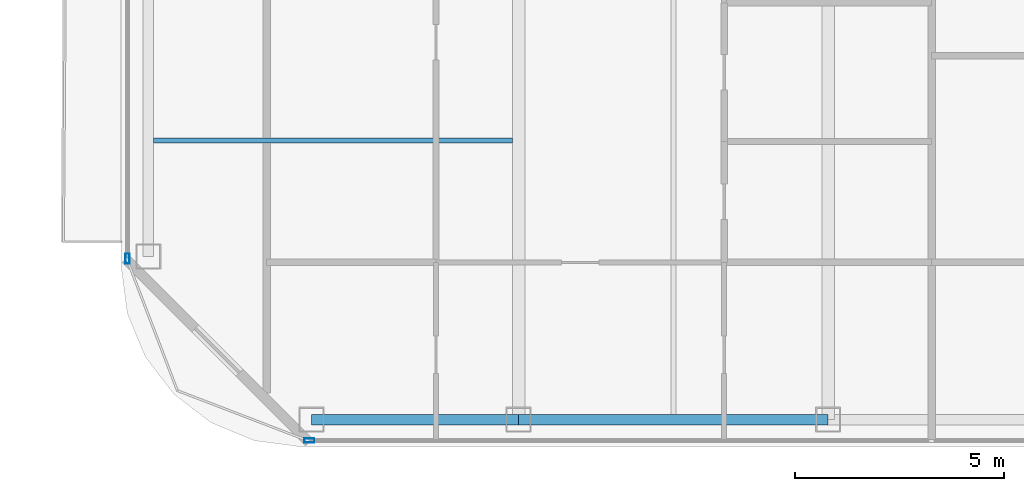
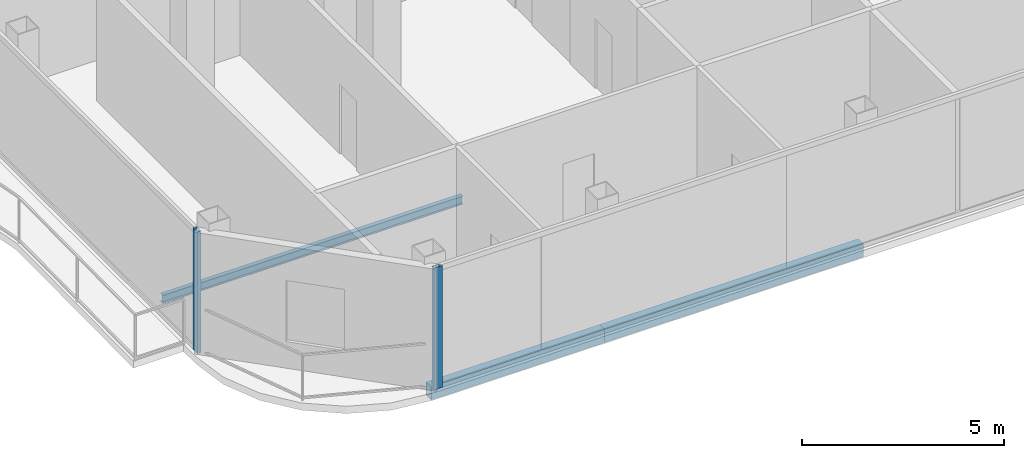
# One storey, part 2 of 23: 3 beams, 2 members, 2 elements without a shape of their own.
"""IFC4 building model written with IfcOpenShell, lengths in metres."""

from ifc_helpers import new_model, si_unit, direction, frame, origin, origin_2d, place, context, subcontext, project, spatial, hollow_rectangle, i_section, extrude, material, layer, layer_set, material_profile, profile_set, type_object, element, aggregate, save


model = new_model("IFC4")

# Units and contexts
model_context = context("Model", 3, precision=1e-05, world=origin(), true_north=direction((0.0, 1.0)))
body_context = subcontext(model_context, "Body", "Model", "MODEL_VIEW")
ifc_project = project(units=[si_unit("LENGTHUNIT", "METRE"), si_unit("AREAUNIT", "SQUARE_METRE"), si_unit("VOLUMEUNIT", "CUBIC_METRE"), si_unit("PLANEANGLEUNIT", "RADIAN"), si_unit("MASSUNIT", "GRAM", prefix="KILO")], contexts=[model_context])

# Site, building, storey
site_placement = place(None, origin())
site = spatial("IfcSite", under=ifc_project, at=site_placement, CompositionType="ELEMENT")
building_placement = place(site_placement, origin())
building = spatial("IfcBuilding", under=site, at=building_placement, Name="Khorvyn Point Tower", CompositionType="ELEMENT")
storey_placement = place(building_placement, frame((0.0, 0.0, 199.199951171875)))
storey = spatial("IfcBuildingStorey", under=building, at=storey_placement, Name="L49", CompositionType="ELEMENT", Elevation=199.199951171875)

# Curtain wall, member
ifc_material_1 = material(Name="Anodised aluminium 6063-T6 and laminated Low-E glass", Category="aluminium")
ifc_layer = layer(ifc_material_1, 0.18994140625)
ifc_layer_set = layer_set([ifc_layer], Name="Stick-Built Acoustic Curtain Wall CW-SYS-03")
curtain_wall_type = type_object("IfcCurtainWallType", Name="Stick-Built Acoustic Curtain Wall CW-SYS-03", PredefinedType="NOTDEFINED", material=ifc_layer_set)
curtain_wall_1_placement = place(storey_placement, origin())
curtain_wall_1 = element("IfcCurtainWall", 1, at=curtain_wall_1_placement, inside=storey, type_object=curtain_wall_type, Name="Curtain Wall", PredefinedType="NOTDEFINED")
ifc_material_2 = material(Name="Anodised aluminium 6063-T6", Category="aluminium")
ifc_material_profile_1 = material_profile(ifc_material_2, hollow_rectangle(XDim=0.10009765625, YDim=0.239990234375, WallThickness=0.0048828125, at=origin_2d()))
ifc_profile_set_1 = profile_set([ifc_material_profile_1], Name="Anodised aluminium 6063-T6 ALU-MUL-100x240")
member_type = type_object("IfcMemberType", Name="Anodised Aluminium 6063-T6 Mullion ALU-MUL-100x240", PredefinedType="MULLION", material=ifc_profile_set_1)
member_1_placement = place(storey_placement, frame((-19.800048828125, -28.64990234375, 0.0), z_axis=(0.0, 0.0, 1.0), x_axis=(0.0, -1.0, 0.0)))
member_1 = element("IfcMember", 2, at=member_1_placement, type_object=member_type, Name="Transom", PredefinedType="MULLION", context=body_context, shape_type="SweptSolid", body=[
    extrude(hollow_rectangle(XDim=0.10009765625, YDim=0.239990234375, WallThickness=0.0048828125, at=origin_2d()), origin(), (0.0, 0.0, 1.0), 3.679931640625),
])
aggregate(curtain_wall_1, [member_1])

curtain_wall_2_placement = place(storey_placement, origin())
curtain_wall_2 = element("IfcCurtainWall", 3, at=curtain_wall_2_placement, inside=storey, type_object=curtain_wall_type, Name="Curtain Wall", PredefinedType="NOTDEFINED")
member_2_placement = place(storey_placement, frame((-24.14990234375, -24.300048828125, 0.0), z_axis=(0.0, 0.0, 1.0), x_axis=(-1.0, 0.0, 0.0)))
member_2 = element("IfcMember", 4, at=member_2_placement, type_object=member_type, Name="Transom", PredefinedType="MULLION", context=body_context, shape_type="SweptSolid", body=[
    extrude(hollow_rectangle(XDim=0.10009765625, YDim=0.239990234375, WallThickness=0.0048828125, at=origin_2d()), origin(), (0.0, 0.0, 1.0), 3.679931640625),
])
aggregate(curtain_wall_2, [member_2])

# Beams
ifc_material_3 = material(Name="Steel S355", Category="steel")
ifc_material_profile_2 = material_profile(ifc_material_3, i_section(OverallWidth=0.125, OverallDepth=0.25, WebThickness=0.006103515625, FlangeThickness=0.009033203125, at=origin_2d()))
ifc_profile_set_2 = profile_set([ifc_material_profile_2], Name="Steel S355 H250x125x6x9")
beam_type_1 = type_object("IfcBeamType", Name="Steel S355 Joist H250x125x6x9", PredefinedType="JOIST", material=ifc_profile_set_2)
beam_1_placement = place(storey_placement, frame((-23.52490234375, -21.47509765625, -0.344970703125), z_axis=(1.0, 0.0, 0.0), x_axis=(0.0, 1.0, 0.0)))
element("IfcBeam", 5, at=beam_1_placement, inside=storey, type_object=beam_type_1, Name="Beam", PredefinedType="JOIST", context=body_context, shape_type="SweptSolid", body=[
    extrude(i_section(OverallWidth=0.125, OverallDepth=0.25, WebThickness=0.006103515625, FlangeThickness=0.009033203125, at=origin_2d()), origin(), (0.0, 0.0, 1.0), 8.574951171875),
])
ifc_material_profile_3 = material_profile(ifc_material_3, hollow_rectangle(XDim=0.25, YDim=0.39990234375, WallThickness=0.01611328125, at=origin_2d()))
ifc_profile_set_3 = profile_set([ifc_material_profile_3], Name="Steel S355 RHS400x250x16")
beam_type_2 = type_object("IfcBeamType", Name="Steel S355 Spandrel RHS400x250x16", PredefinedType="SPANDREL", material=ifc_profile_set_3)
beam_2_placement = place(storey_placement, frame((-19.75, -28.14990234375, -0.419921875), z_axis=(1.0, 0.0, 0.0), x_axis=(0.0, 1.0, 0.0)))
element("IfcBeam", 6, at=beam_2_placement, inside=storey, type_object=beam_type_2, Name="Beam", PredefinedType="SPANDREL", context=body_context, shape_type="SweptSolid", body=[
    extrude(hollow_rectangle(XDim=0.25, YDim=0.39990234375, WallThickness=0.01611328125, at=origin_2d()), origin(), (0.0, 0.0, 1.0), 4.949951171875),
])
beam_3_placement = place(storey_placement, frame((-14.800048828125, -28.14990234375, -0.419921875), z_axis=(1.0, 0.0, 0.0), x_axis=(0.0, 1.0, 0.0)))
element("IfcBeam", 7, at=beam_3_placement, inside=storey, type_object=beam_type_2, Name="Beam", PredefinedType="SPANDREL", context=body_context, shape_type="SweptSolid", body=[
    extrude(hollow_rectangle(XDim=0.25, YDim=0.39990234375, WallThickness=0.01611328125, at=origin_2d()), origin(), (0.0, 0.0, 1.0), 7.400146484375),
])

save(model, "model.ifc")
